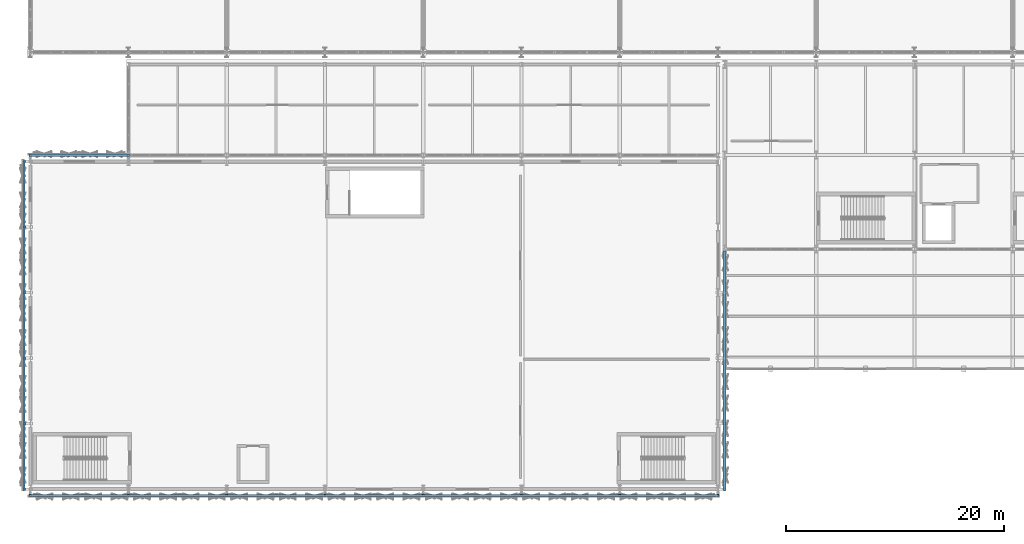
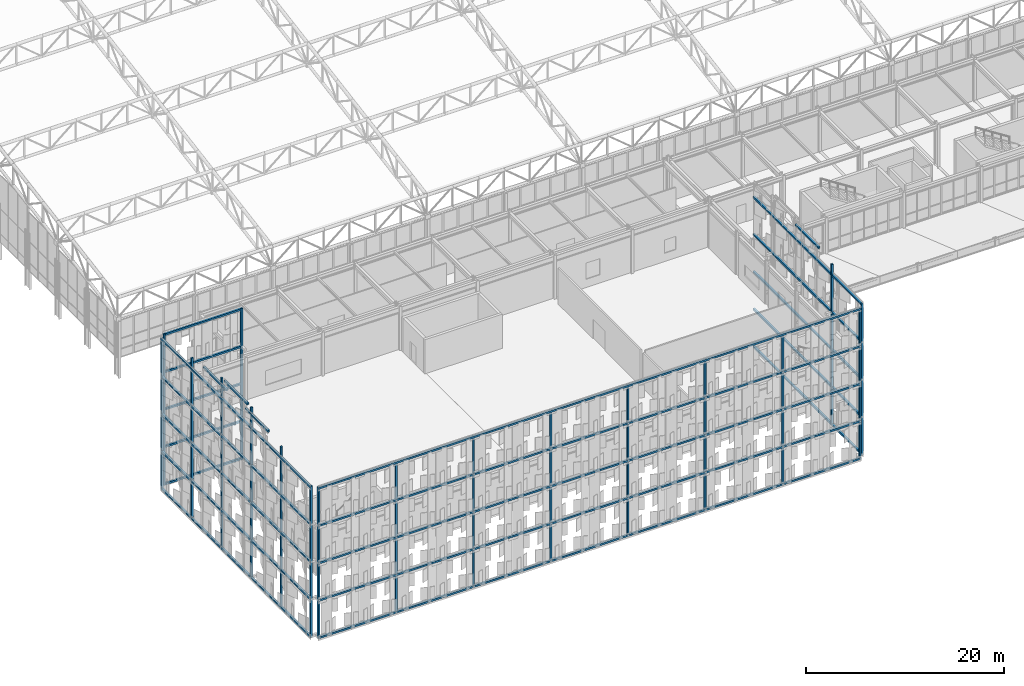
# One storey, part 208 of 239: 42 discrete accessories.
"""IFC4 building model written with IfcOpenShell, lengths in metres."""

from ifc_helpers import new_model, si_unit, direction, frame, origin, origin_2d, place, context, subcontext, project, spatial, rectangle, extrude, material, type_object, element, save


model = new_model("IFC4")

# Units and contexts
model_context = context("Model", 3, precision=1e-05, world=origin(), true_north=direction((0.0, 1.0)))
body_context = subcontext(model_context, "Body", "Model", "MODEL_VIEW")
ifc_project = project(units=[si_unit("LENGTHUNIT", "METRE"), si_unit("AREAUNIT", "SQUARE_METRE"), si_unit("VOLUMEUNIT", "CUBIC_METRE"), si_unit("PLANEANGLEUNIT", "RADIAN"), si_unit("MASSUNIT", "GRAM", prefix="KILO")], contexts=[model_context])

# Site, building, storey
site_placement = place(None, origin())
site = spatial("IfcSite", under=ifc_project, at=site_placement, CompositionType="ELEMENT")
building_placement = place(site_placement, origin())
building = spatial("IfcBuilding", under=site, at=building_placement, Name="Kaldris Quays Convention Centre", CompositionType="ELEMENT")
storey_placement = place(building_placement, frame((0.0, 0.0, 11.39990234375)))
storey = spatial("IfcBuildingStorey", under=building, at=storey_placement, Name="L02", CompositionType="ELEMENT", Elevation=11.39990234375)

# Discrete accessories
ifc_material = material(Name="Steel S355J2", Category="steel")
discrete_accessory_type = type_object("IfcDiscreteAccessoryType", Name="SCREEN OUTRIGGER BRACKET BK01", PredefinedType="BRACKET", material=ifc_material)
for number, where, z_axis, x_axis, name in (
    (1, (20.0, 15.43994140625, -7.669921875), (0.0, 0.0, 1.0), (1.0, 0.0, 0.0), "V3S Screen Vertical Carrier Mullion 417"),
    (2, (29.0, 15.43994140625, -7.669921875), (0.0, 0.0, 1.0), (1.0, 0.0, 0.0), "V3S Screen Vertical Carrier Mullion 422"),
    (3, (38.0, 15.43994140625, -7.669921875), (0.0, 0.0, 1.0), (1.0, 0.0, 0.0), "V3S Screen Vertical Carrier Mullion 427"),
    (4, (47.0, 15.43994140625, -7.669921875), (0.0, 0.0, 1.0), (1.0, 0.0, 0.0), "V3S Screen Vertical Carrier Mullion 432"),
    (5, (56.0, 15.43994140625, -7.669921875), (0.0, 0.0, 1.0), (1.0, 0.0, 0.0), "V3S Screen Vertical Carrier Mullion 437"),
    (6, (65.0, 15.43994140625, -7.669921875), (0.0, 0.0, 1.0), (1.0, 0.0, 0.0), "V3S Screen Vertical Carrier Mullion 442"),
    (7, (74.0, 15.43994140625, -7.669921875), (0.0, 0.0, 1.0), (1.0, 0.0, 0.0), "V3S Screen Vertical Carrier Mullion 447"),
    (8, (83.0, 15.43994140625, -7.669921875), (0.0, 0.0, 1.0), (1.0, 0.0, 0.0), "V3S Screen Vertical Carrier Mullion 452"),
):
    element("IfcDiscreteAccessory", number, at=place(storey_placement, frame(where, z_axis=z_axis, x_axis=x_axis)), inside=storey, type_object=discrete_accessory_type, Name=name, PredefinedType="BRACKET", context=body_context, shape_type="SweptSolid", body=[
        extrude(rectangle(XDim=0.199951171875, YDim=0.219970703125, at=origin_2d()), origin(), (0.0, 0.0, 1.0), 18.639892578125),
    ])
for number, where, z_axis, x_axis, name in (
    (9, (51.5, 15.419921875, -7.65966796875), (0.0, 0.0, 1.0), (1.0, 0.0, 0.0), "V3S Screen Carrier Rail 457"),
    (10, (51.5, 15.419921875, -3.06005859375), (0.0, 0.0, 1.0), (1.0, 0.0, 0.0), "V3S Screen Carrier Rail 458"),
    (11, (51.5, 15.419921875, 1.5400390625), (0.0, 0.0, 1.0), (1.0, 0.0, 0.0), "V3S Screen Carrier Rail 459"),
    (12, (51.5, 15.419921875, 6.14013671875), (0.0, 0.0, 1.0), (1.0, 0.0, 0.0), "V3S Screen Carrier Rail 460"),
    (13, (51.5, 15.419921875, 10.740234375), (0.0, 0.0, 1.0), (1.0, 0.0, 0.0), "V3S Screen Carrier Rail 461"),
):
    element("IfcDiscreteAccessory", number, at=place(storey_placement, frame(where, z_axis=z_axis, x_axis=x_axis)), inside=storey, type_object=discrete_accessory_type, Name=name, PredefinedType="BRACKET", context=body_context, shape_type="SweptSolid", body=[
        extrude(rectangle(XDim=63.199951171875, YDim=0.219970703125, at=origin_2d()), origin(), (0.0, 0.0, 1.0), 0.219970703125),
    ])
for number, where, z_axis, x_axis, name in (
    (14, (20.0, 46.56005859375, -7.669921875), (0.0, 0.0, 1.0), (1.0, 0.0, 0.0), "V3N Screen Vertical Carrier Mullion 462"),
    (15, (29.0, 46.56005859375, -7.669921875), (0.0, 0.0, 1.0), (1.0, 0.0, 0.0), "V3N Screen Vertical Carrier Mullion 467"),
):
    element("IfcDiscreteAccessory", number, at=place(storey_placement, frame(where, z_axis=z_axis, x_axis=x_axis)), inside=storey, type_object=discrete_accessory_type, Name=name, PredefinedType="BRACKET", context=body_context, shape_type="SweptSolid", body=[
        extrude(rectangle(XDim=0.199951171875, YDim=0.219970703125, at=origin_2d()), origin(), (0.0, 0.0, 1.0), 18.639892578125),
    ])
for number, where, z_axis, x_axis, name in (
    (16, (24.5, 46.580078125, -7.65966796875), (0.0, 0.0, 1.0), (1.0, 0.0, 0.0), "V3N Screen Carrier Rail 472"),
    (17, (24.5, 46.580078125, -3.06005859375), (0.0, 0.0, 1.0), (1.0, 0.0, 0.0), "V3N Screen Carrier Rail 473"),
    (18, (24.5, 46.580078125, 1.5400390625), (0.0, 0.0, 1.0), (1.0, 0.0, 0.0), "V3N Screen Carrier Rail 474"),
    (19, (24.5, 46.580078125, 6.14013671875), (0.0, 0.0, 1.0), (1.0, 0.0, 0.0), "V3N Screen Carrier Rail 475"),
    (20, (24.5, 46.580078125, 10.740234375), (0.0, 0.0, 1.0), (1.0, 0.0, 0.0), "V3N Screen Carrier Rail 476"),
):
    element("IfcDiscreteAccessory", number, at=place(storey_placement, frame(where, z_axis=z_axis, x_axis=x_axis)), inside=storey, type_object=discrete_accessory_type, Name=name, PredefinedType="BRACKET", context=body_context, shape_type="SweptSolid", body=[
        extrude(rectangle(XDim=9.199951171875, YDim=0.219970703125, at=origin_2d()), origin(), (0.0, 0.0, 1.0), 0.219970703125),
    ])
discrete_accessory_1_placement = place(storey_placement, frame((19.43994140625, 16.0, -7.669921875), z_axis=(0.0, 0.0, 1.0), x_axis=(0.0, 1.0, 0.0)))
element("IfcDiscreteAccessory", 21, at=discrete_accessory_1_placement, inside=storey, type_object=discrete_accessory_type, Name="V3W Screen Vertical Carrier Mullion 501", PredefinedType="BRACKET", context=body_context, shape_type="SweptSolid", body=[
    extrude(rectangle(XDim=0.199951171875, YDim=0.219970703125, at=origin_2d()), origin(), (0.0, 0.0, 1.0), 18.639892578125),
])
discrete_accessory_2_placement = place(storey_placement, frame((19.43994140625, 22.0, -7.669921875), z_axis=(0.0, 0.0, 1.0), x_axis=(0.0, 1.0, 0.0)))
element("IfcDiscreteAccessory", 22, at=discrete_accessory_2_placement, inside=storey, type_object=discrete_accessory_type, Name="V3W Screen Vertical Carrier Mullion 506", PredefinedType="BRACKET", context=body_context, shape_type="SweptSolid", body=[
    extrude(rectangle(XDim=0.199951171875, YDim=0.219970703125, at=origin_2d()), origin(), (0.0, 0.0, 1.0), 19.840087890625),
])
for number, where, z_axis, x_axis, name in (
    (23, (19.43994140625, 28.0, -7.669921875), (0.0, 0.0, 1.0), (0.0, 1.0, 0.0), "V3W Screen Vertical Carrier Mullion 511"),
    (24, (19.43994140625, 34.0, -7.669921875), (0.0, 0.0, 1.0), (0.0, 1.0, 0.0), "V3W Screen Vertical Carrier Mullion 516"),
):
    element("IfcDiscreteAccessory", number, at=place(storey_placement, frame(where, z_axis=z_axis, x_axis=x_axis)), inside=storey, type_object=discrete_accessory_type, Name=name, PredefinedType="BRACKET", context=body_context, shape_type="SweptSolid", body=[
        extrude(rectangle(XDim=0.199951171875, YDim=0.219970703125, at=origin_2d()), origin(), (0.0, 0.0, 1.0), 21.0400390625),
    ])
discrete_accessory_3_placement = place(storey_placement, frame((19.43994140625, 40.0, -7.669921875), z_axis=(0.0, 0.0, 1.0), x_axis=(0.0, 1.0, 0.0)))
element("IfcDiscreteAccessory", 25, at=discrete_accessory_3_placement, inside=storey, type_object=discrete_accessory_type, Name="V3W Screen Vertical Carrier Mullion 521", PredefinedType="BRACKET", context=body_context, shape_type="SweptSolid", body=[
    extrude(rectangle(XDim=0.199951171875, YDim=0.219970703125, at=origin_2d()), origin(), (0.0, 0.0, 1.0), 19.840087890625),
])
discrete_accessory_4_placement = place(storey_placement, frame((19.43994140625, 46.0, -7.669921875), z_axis=(0.0, 0.0, 1.0), x_axis=(0.0, 1.0, 0.0)))
element("IfcDiscreteAccessory", 26, at=discrete_accessory_4_placement, inside=storey, type_object=discrete_accessory_type, Name="V3W Screen Vertical Carrier Mullion 526", PredefinedType="BRACKET", context=body_context, shape_type="SweptSolid", body=[
    extrude(rectangle(XDim=0.199951171875, YDim=0.219970703125, at=origin_2d()), origin(), (0.0, 0.0, 1.0), 18.639892578125),
])
for number, where, z_axis, x_axis, name in (
    (27, (19.419921875, 31.0, -7.65966796875), (0.0, 0.0, 1.0), (0.0, 1.0, 0.0), "V3W Screen Carrier Rail 531"),
    (28, (19.419921875, 31.0, -3.06005859375), (0.0, 0.0, 1.0), (0.0, 1.0, 0.0), "V3W Screen Carrier Rail 532"),
    (29, (19.419921875, 31.0, 1.5400390625), (0.0, 0.0, 1.0), (0.0, 1.0, 0.0), "V3W Screen Carrier Rail 533"),
    (30, (19.419921875, 31.0, 6.14013671875), (0.0, 0.0, 1.0), (0.0, 1.0, 0.0), "V3W Screen Carrier Rail 534"),
    (31, (19.419921875, 31.0, 10.740234375), (0.0, 0.0, 1.0), (0.0, 1.0, 0.0), "V3W Screen Carrier Rail 535"),
):
    element("IfcDiscreteAccessory", number, at=place(storey_placement, frame(where, z_axis=z_axis, x_axis=x_axis)), inside=storey, type_object=discrete_accessory_type, Name=name, PredefinedType="BRACKET", context=body_context, shape_type="SweptSolid", body=[
        extrude(rectangle(XDim=30.199951171875, YDim=0.219970703125, at=origin_2d()), origin(), (0.0, 0.0, 1.0), 0.219970703125),
    ])
for number, where, z_axis, x_axis, name in (
    (32, (19.419921875, 26.800048828125, 12.4140625), (0.0, 0.0, 1.0), (0.0, 1.0, 0.0), "V3W Gable Screen Cap Rail 536"),
    (33, (19.419921875, 31.0, 13.25390625), (0.0, 0.0, 1.0), (0.0, 1.0, 0.0), "V3W Gable Screen Cap Rail 537"),
    (34, (19.419921875, 35.199951171875, 12.4140625), (0.0, 0.0, 1.0), (0.0, 1.0, 0.0), "V3W Gable Screen Cap Rail 538"),
):
    element("IfcDiscreteAccessory", number, at=place(storey_placement, frame(where, z_axis=z_axis, x_axis=x_axis)), inside=storey, type_object=discrete_accessory_type, Name=name, PredefinedType="BRACKET", context=body_context, shape_type="SweptSolid", body=[
        extrude(rectangle(XDim=4.64990234375, YDim=0.219970703125, at=origin_2d()), origin(), (0.0, 0.0, 1.0), 0.219970703125),
    ])
discrete_accessory_5_placement = place(storey_placement, frame((83.56005859375, 16.0, -7.669921875), z_axis=(0.0, 0.0, 1.0), x_axis=(0.0, 1.0, 0.0)))
element("IfcDiscreteAccessory", 35, at=discrete_accessory_5_placement, inside=storey, type_object=discrete_accessory_type, Name="V3E Screen Vertical Carrier Mullion 539", PredefinedType="BRACKET", context=body_context, shape_type="SweptSolid", body=[
    extrude(rectangle(XDim=0.199951171875, YDim=0.219970703125, at=origin_2d()), origin(), (0.0, 0.0, 1.0), 18.639892578125),
])
discrete_accessory_6_placement = place(storey_placement, frame((83.56005859375, 22.0, -7.669921875), z_axis=(0.0, 0.0, 1.0), x_axis=(0.0, 1.0, 0.0)))
element("IfcDiscreteAccessory", 36, at=discrete_accessory_6_placement, inside=storey, type_object=discrete_accessory_type, Name="V3E Screen Vertical Carrier Mullion 544", PredefinedType="BRACKET", context=body_context, shape_type="SweptSolid", body=[
    extrude(rectangle(XDim=0.199951171875, YDim=0.219970703125, at=origin_2d()), origin(), (0.0, 0.0, 1.0), 19.840087890625),
])
for number, where, z_axis, x_axis, name in (
    (37, (83.580078125, 26.85009765625, -7.65966796875), (0.0, 0.0, 1.0), (0.0, 1.0, 0.0), "V3E Screen Carrier Rail 559"),
    (38, (83.580078125, 26.85009765625, -3.06005859375), (0.0, 0.0, 1.0), (0.0, 1.0, 0.0), "V3E Screen Carrier Rail 560"),
    (39, (83.580078125, 26.85009765625, 1.5400390625), (0.0, 0.0, 1.0), (0.0, 1.0, 0.0), "V3E Screen Carrier Rail 561"),
    (40, (83.580078125, 26.85009765625, 6.14013671875), (0.0, 0.0, 1.0), (0.0, 1.0, 0.0), "V3E Screen Carrier Rail 562"),
    (41, (83.580078125, 26.85009765625, 10.740234375), (0.0, 0.0, 1.0), (0.0, 1.0, 0.0), "V3E Screen Carrier Rail 563"),
):
    element("IfcDiscreteAccessory", number, at=place(storey_placement, frame(where, z_axis=z_axis, x_axis=x_axis)), inside=storey, type_object=discrete_accessory_type, Name=name, PredefinedType="BRACKET", context=body_context, shape_type="SweptSolid", body=[
        extrude(rectangle(XDim=21.89990234375, YDim=0.219970703125, at=origin_2d()), origin(), (0.0, 0.0, 1.0), 0.219970703125),
    ])
discrete_accessory_7_placement = place(storey_placement, frame((83.580078125, 27.0, 12.4482421875), z_axis=(0.0, 0.0, 1.0), x_axis=(0.0, 1.0, 0.0)))
element("IfcDiscreteAccessory", 42, at=discrete_accessory_7_placement, inside=storey, type_object=discrete_accessory_type, Name="V3E Gable Screen Cap Rail 564", PredefinedType="BRACKET", context=body_context, shape_type="SweptSolid", body=[
    extrude(rectangle(XDim=4.72998046875, YDim=0.219970703125, at=origin_2d()), origin(), (0.0, 0.0, 1.0), 0.219970703125),
])

save(model, "model.ifc")
